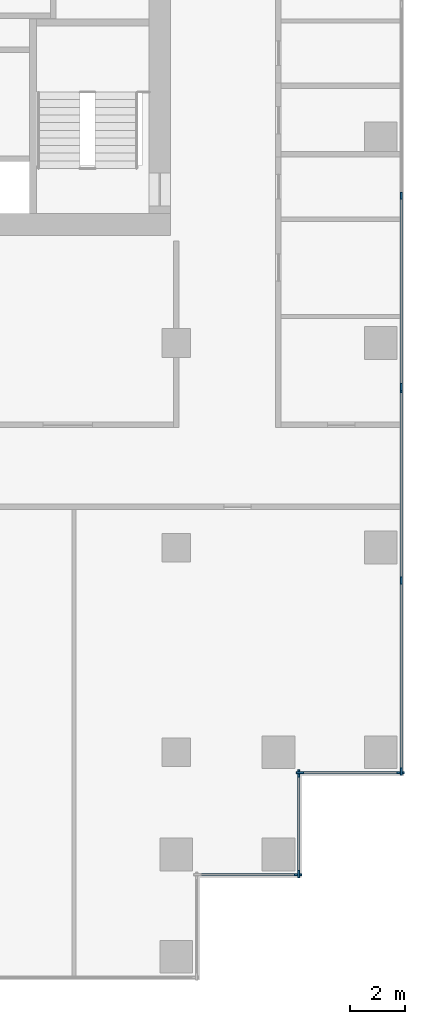
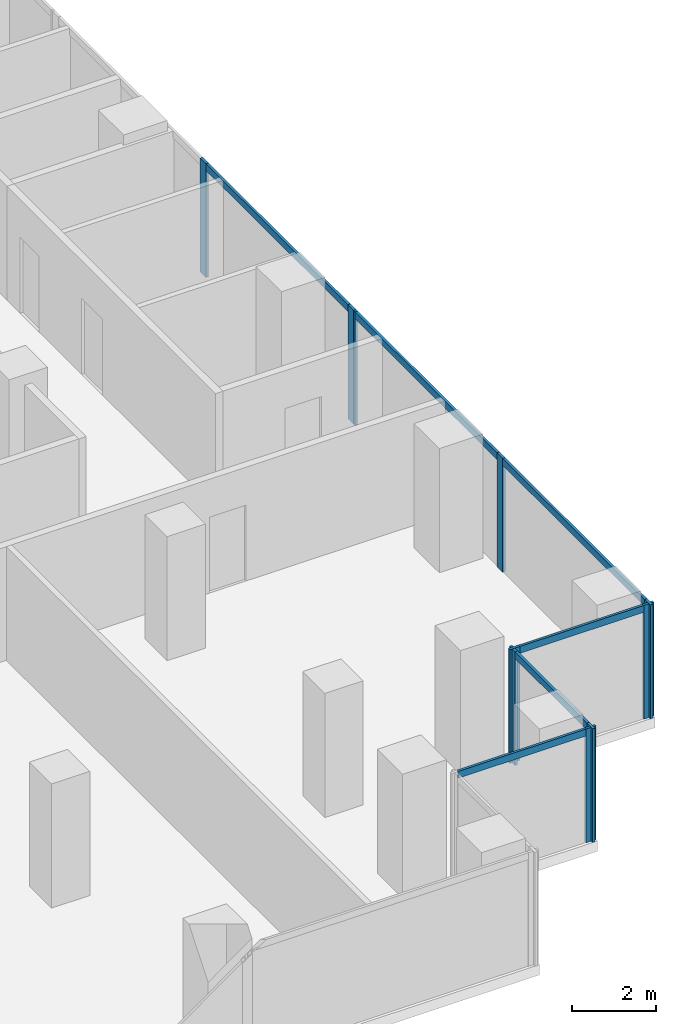
# One storey, part 3 of 10: 16 members, 5 elements without a shape of their own.
"""IFC4 building model written with IfcOpenShell, lengths in metres."""

from ifc_helpers import new_model, si_unit, direction, frame, origin, origin_2d, place, context, subcontext, project, spatial, rectangle, extrude, material, material_profile, profile_set, type_object, element, aggregate, save


model = new_model("IFC4")

# Units and contexts
model_context = context("Model", 3, precision=1e-05, world=origin(), true_north=direction((0.0, 1.0)))
body_context = subcontext(model_context, "Body", "Model", "MODEL_VIEW")
ifc_project = project(units=[si_unit("LENGTHUNIT", "METRE"), si_unit("AREAUNIT", "SQUARE_METRE"), si_unit("VOLUMEUNIT", "CUBIC_METRE"), si_unit("PLANEANGLEUNIT", "RADIAN"), si_unit("MASSUNIT", "GRAM", prefix="KILO")], contexts=[model_context])

# Site, building, storey
site_placement = place(None, origin())
site = spatial("IfcSite", under=ifc_project, at=site_placement, CompositionType="ELEMENT")
building_placement = place(site_placement, origin())
building = spatial("IfcBuilding", under=site, at=building_placement, Name="Pilkhan Gate Tower", CompositionType="ELEMENT")
storey_placement = place(building_placement, frame((0.0, 0.0, 154.89990234375)))
storey = spatial("IfcBuildingStorey", under=building, at=storey_placement, Name="L39", CompositionType="ELEMENT", Elevation=154.89990234375)

# Curtain wall, members
ifc_material_1 = material(Name="Pale anodised aluminium, clear low-iron double glazing", Category="aluminium")
curtain_wall_type = type_object("IfcCurtainWallType", Name="Office unitised curtain wall CW-O1", PredefinedType="USERDEFINED", material=ifc_material_1)
curtain_wall_1_placement = place(storey_placement, origin())
curtain_wall_1 = element("IfcCurtainWall", 1, at=curtain_wall_1_placement, inside=storey, type_object=curtain_wall_type, Name="Office unitised curtain wall CW-O1 L39 E", ObjectType="UNITISED CURTAIN WALL", PredefinedType="USERDEFINED")
ifc_material_2 = material(Name="Pale anodised aluminium", Category="aluminium")
ifc_material_profile_1 = material_profile(ifc_material_2, rectangle(XDim=0.070068359375, YDim=0.27490234375, at=origin_2d()), Name="Mullion 275x70")
ifc_profile_set_1 = profile_set([ifc_material_profile_1], Name="Pale anodised aluminium")
member_type_1 = type_object("IfcMemberType", Name="Mullion CW-O1 275x70", PredefinedType="MULLION", material=ifc_profile_set_1)
member_1_placement = place(storey_placement, frame((98.25, 51.784912109375, 0.0), z_axis=(0.0, 0.0, 1.0), x_axis=(-1.0, 0.0, 0.0)))
member_1 = element("IfcMember", 2, at=member_1_placement, type_object=member_type_1, Name="CW-O1 mullion 1", PredefinedType="MULLION", context=body_context, shape_type="SweptSolid", body=[
    extrude(rectangle(XDim=0.070068359375, YDim=0.27490234375, at=origin_2d()), origin(), (0.0, 0.0, 1.0), 3.300048828125),
])
member_2_placement = place(storey_placement, frame((98.25, 58.800048828125, 0.0), z_axis=(0.0, 0.0, 1.0), x_axis=(-1.0, 0.0, 0.0)))
member_2 = element("IfcMember", 3, at=member_2_placement, type_object=member_type_1, Name="CW-O1 mullion 2", PredefinedType="MULLION", context=body_context, shape_type="SweptSolid", body=[
    extrude(rectangle(XDim=0.070068359375, YDim=0.27490234375, at=origin_2d()), origin(), (0.0, 0.0, 1.0), 3.300048828125),
])
member_3_placement = place(storey_placement, frame((98.25, 65.81494140625, 0.0), z_axis=(0.0, 0.0, 1.0), x_axis=(-1.0, 0.0, 0.0)))
member_3 = element("IfcMember", 4, at=member_3_placement, type_object=member_type_1, Name="CW-O1 mullion 3", PredefinedType="MULLION", context=body_context, shape_type="SweptSolid", body=[
    extrude(rectangle(XDim=0.070068359375, YDim=0.27490234375, at=origin_2d()), origin(), (0.0, 0.0, 1.0), 3.300048828125),
])

curtain_wall_2_placement = place(storey_placement, origin())
curtain_wall_2 = element("IfcCurtainWall", 5, at=curtain_wall_2_placement, inside=storey, type_object=curtain_wall_type, Name="Office unitised curtain wall CW-O1 L39 E", ObjectType="UNITISED CURTAIN WALL", PredefinedType="USERDEFINED")
member_4_placement = place(storey_placement, frame((98.25, 65.885009765625, 0.0), z_axis=(0.0, 0.0, 1.0), x_axis=(-1.0, 0.0, 0.0)))
member_4 = element("IfcMember", 6, at=member_4_placement, type_object=member_type_1, Name="CW-O1 mullion 1", PredefinedType="MULLION", context=body_context, shape_type="SweptSolid", body=[
    extrude(rectangle(XDim=0.070068359375, YDim=0.27490234375, at=origin_2d()), origin(), (0.0, 0.0, 1.0), 3.300048828125),
])
member_5_placement = place(storey_placement, frame((98.25, 72.89990234375, 0.0), z_axis=(0.0, 0.0, 1.0), x_axis=(-1.0, 0.0, 0.0)))
member_5 = element("IfcMember", 7, at=member_5_placement, type_object=member_type_1, Name="CW-O1 mullion 2", PredefinedType="MULLION", context=body_context, shape_type="SweptSolid", body=[
    extrude(rectangle(XDim=0.070068359375, YDim=0.27490234375, at=origin_2d()), origin(), (0.0, 0.0, 1.0), 3.300048828125),
])

# Curtain wall, member
curtain_wall_3_placement = place(storey_placement, origin())
curtain_wall_3 = element("IfcCurtainWall", 8, at=curtain_wall_3_placement, inside=storey, type_object=curtain_wall_type, Name="Office unitised curtain wall CW-O1 L39 S", ObjectType="UNITISED CURTAIN WALL", PredefinedType="USERDEFINED")
member_6_placement = place(storey_placement, frame((94.465087890625, 48.0, 0.0), z_axis=(0.0, 0.0, 1.0), x_axis=(0.0, 1.0, 0.0)))
member_6 = element("IfcMember", 9, at=member_6_placement, type_object=member_type_1, Name="CW-O1 mullion 2", PredefinedType="MULLION", context=body_context, shape_type="SweptSolid", body=[
    extrude(rectangle(XDim=0.070068359375, YDim=0.27490234375, at=origin_2d()), origin(), (0.0, 0.0, 1.0), 3.300048828125),
])

# Curtain wall, members
curtain_wall_4_placement = place(storey_placement, origin())
curtain_wall_4 = element("IfcCurtainWall", 10, at=curtain_wall_4_placement, inside=storey, type_object=curtain_wall_type, Name="Office unitised curtain wall CW-O1 L39 E", ObjectType="UNITISED CURTAIN WALL", PredefinedType="USERDEFINED")
member_7_placement = place(storey_placement, frame((94.5, 48.034912109375, 0.0), z_axis=(0.0, 0.0, 1.0), x_axis=(-1.0, 0.0, 0.0)))
member_7 = element("IfcMember", 11, at=member_7_placement, type_object=member_type_1, Name="CW-O1 mullion 1", PredefinedType="MULLION", context=body_context, shape_type="SweptSolid", body=[
    extrude(rectangle(XDim=0.070068359375, YDim=0.27490234375, at=origin_2d()), origin(), (0.0, 0.0, 1.0), 3.300048828125),
])
member_8_placement = place(storey_placement, frame((94.5, 51.715087890625, 0.0), z_axis=(0.0, 0.0, 1.0), x_axis=(-1.0, 0.0, 0.0)))
member_8 = element("IfcMember", 12, at=member_8_placement, type_object=member_type_1, Name="CW-O1 mullion 2", PredefinedType="MULLION", context=body_context, shape_type="SweptSolid", body=[
    extrude(rectangle(XDim=0.070068359375, YDim=0.27490234375, at=origin_2d()), origin(), (0.0, 0.0, 1.0), 3.300048828125),
])

curtain_wall_5_placement = place(storey_placement, origin())
curtain_wall_5 = element("IfcCurtainWall", 13, at=curtain_wall_5_placement, inside=storey, type_object=curtain_wall_type, Name="Office unitised curtain wall CW-O1 L39 S", ObjectType="UNITISED CURTAIN WALL", PredefinedType="USERDEFINED")
member_9_placement = place(storey_placement, frame((94.534912109375, 51.75, 0.0), z_axis=(0.0, 0.0, 1.0), x_axis=(0.0, 1.0, 0.0)))
member_9 = element("IfcMember", 14, at=member_9_placement, type_object=member_type_1, Name="CW-O1 mullion 1", PredefinedType="MULLION", context=body_context, shape_type="SweptSolid", body=[
    extrude(rectangle(XDim=0.070068359375, YDim=0.27490234375, at=origin_2d()), origin(), (0.0, 0.0, 1.0), 3.300048828125),
])
member_10_placement = place(storey_placement, frame((98.215087890625, 51.75, 0.0), z_axis=(0.0, 0.0, 1.0), x_axis=(0.0, 1.0, 0.0)))
member_10 = element("IfcMember", 15, at=member_10_placement, type_object=member_type_1, Name="CW-O1 mullion 2", PredefinedType="MULLION", context=body_context, shape_type="SweptSolid", body=[
    extrude(rectangle(XDim=0.070068359375, YDim=0.27490234375, at=origin_2d()), origin(), (0.0, 0.0, 1.0), 3.300048828125),
])

# Member
ifc_material_profile_2 = material_profile(ifc_material_2, rectangle(XDim=0.070068359375, YDim=0.199951171875, at=origin_2d()), Name="Transom 200x70")
ifc_profile_set_2 = profile_set([ifc_material_profile_2], Name="Pale anodised aluminium")
member_type_2 = type_object("IfcMemberType", Name="Transom CW-O1 200x70", PredefinedType="USERDEFINED", material=ifc_profile_set_2)
member_11_placement = place(storey_placement, frame((98.25, 51.820068359375, 3.2001953125), z_axis=(0.0, 1.0, 0.0), x_axis=(-1.0, 0.0, 0.0)))
member_11 = element("IfcMember", 16, at=member_11_placement, type_object=member_type_2, Name="CW-O1 transom 1", ObjectType="TRANSOM", PredefinedType="USERDEFINED", context=body_context, shape_type="SweptSolid", body=[
    extrude(rectangle(XDim=0.070068359375, YDim=0.199951171875, at=origin_2d()), origin(), (0.0, 0.0, 1.0), 6.94482421875),
])

member_12_placement = place(storey_placement, frame((98.25, 58.8349609375, 3.2001953125), z_axis=(0.0, 1.0, 0.0), x_axis=(-1.0, 0.0, 0.0)))
member_12 = element("IfcMember", 17, at=member_12_placement, type_object=member_type_2, Name="CW-O1 transom 2", ObjectType="TRANSOM", PredefinedType="USERDEFINED", context=body_context, shape_type="SweptSolid", body=[
    extrude(rectangle(XDim=0.070068359375, YDim=0.199951171875, at=origin_2d()), origin(), (0.0, 0.0, 1.0), 6.945068359375),
])

aggregate(curtain_wall_1, [member_1, member_2, member_3, member_11, member_12])

member_13_placement = place(storey_placement, frame((98.25, 65.919921875, 3.2001953125), z_axis=(0.0, 1.0, 0.0), x_axis=(-1.0, 0.0, 0.0)))
member_13 = element("IfcMember", 18, at=member_13_placement, type_object=member_type_2, Name="CW-O1 transom 1", ObjectType="TRANSOM", PredefinedType="USERDEFINED", context=body_context, shape_type="SweptSolid", body=[
    extrude(rectangle(XDim=0.070068359375, YDim=0.199951171875, at=origin_2d()), origin(), (0.0, 0.0, 1.0), 6.945068359375),
])

aggregate(curtain_wall_2, [member_4, member_5, member_13])

member_14_placement = place(storey_placement, frame((90.820068359375, 48.0, 3.2001953125), z_axis=(1.0, 0.0, 0.0), x_axis=(0.0, 1.0, 0.0)))
member_14 = element("IfcMember", 19, at=member_14_placement, type_object=member_type_2, Name="CW-O1 transom 1", ObjectType="TRANSOM", PredefinedType="USERDEFINED", context=body_context, shape_type="SweptSolid", body=[
    extrude(rectangle(XDim=0.070068359375, YDim=0.199951171875, at=origin_2d()), origin(), (0.0, 0.0, 1.0), 3.60986328125),
])

aggregate(curtain_wall_3, [member_6, member_14])

member_15_placement = place(storey_placement, frame((94.5, 48.070068359375, 3.2001953125), z_axis=(0.0, 1.0, 0.0), x_axis=(-1.0, 0.0, 0.0)))
member_15 = element("IfcMember", 20, at=member_15_placement, type_object=member_type_2, Name="CW-O1 transom 1", ObjectType="TRANSOM", PredefinedType="USERDEFINED", context=body_context, shape_type="SweptSolid", body=[
    extrude(rectangle(XDim=0.070068359375, YDim=0.199951171875, at=origin_2d()), origin(), (0.0, 0.0, 1.0), 3.60986328125),
])

aggregate(curtain_wall_4, [member_7, member_8, member_15])

member_16_placement = place(storey_placement, frame((94.570068359375, 51.75, 3.2001953125), z_axis=(1.0, 0.0, 0.0), x_axis=(0.0, 1.0, 0.0)))
member_16 = element("IfcMember", 21, at=member_16_placement, type_object=member_type_2, Name="CW-O1 transom 1", ObjectType="TRANSOM", PredefinedType="USERDEFINED", context=body_context, shape_type="SweptSolid", body=[
    extrude(rectangle(XDim=0.070068359375, YDim=0.199951171875, at=origin_2d()), origin(), (0.0, 0.0, 1.0), 3.60986328125),
])

aggregate(curtain_wall_5, [member_9, member_10, member_16])

save(model, "model.ifc")
